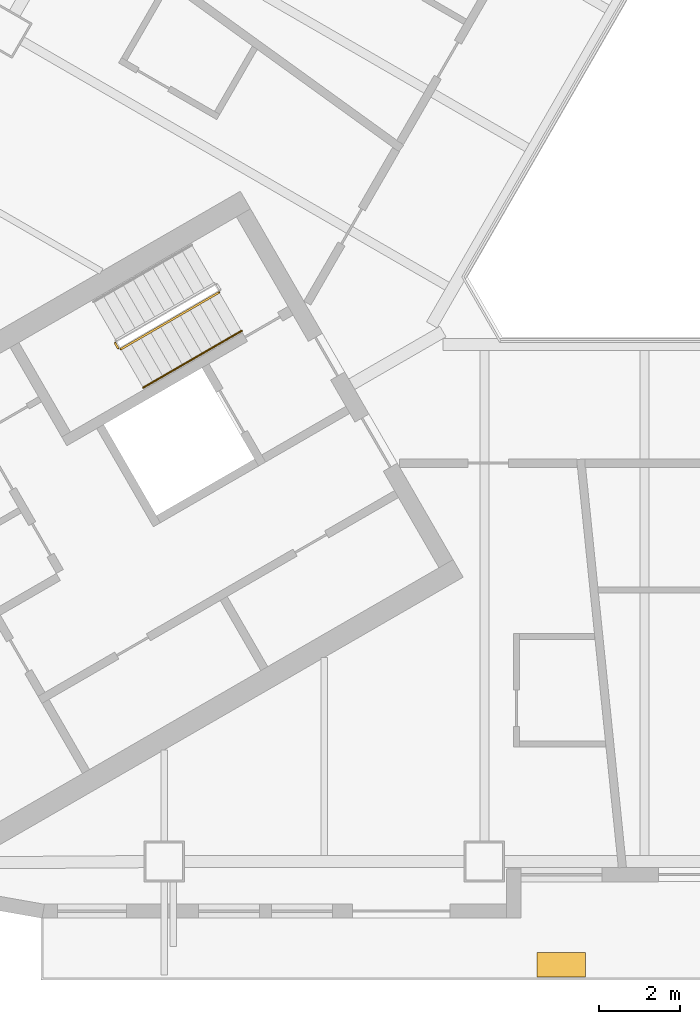
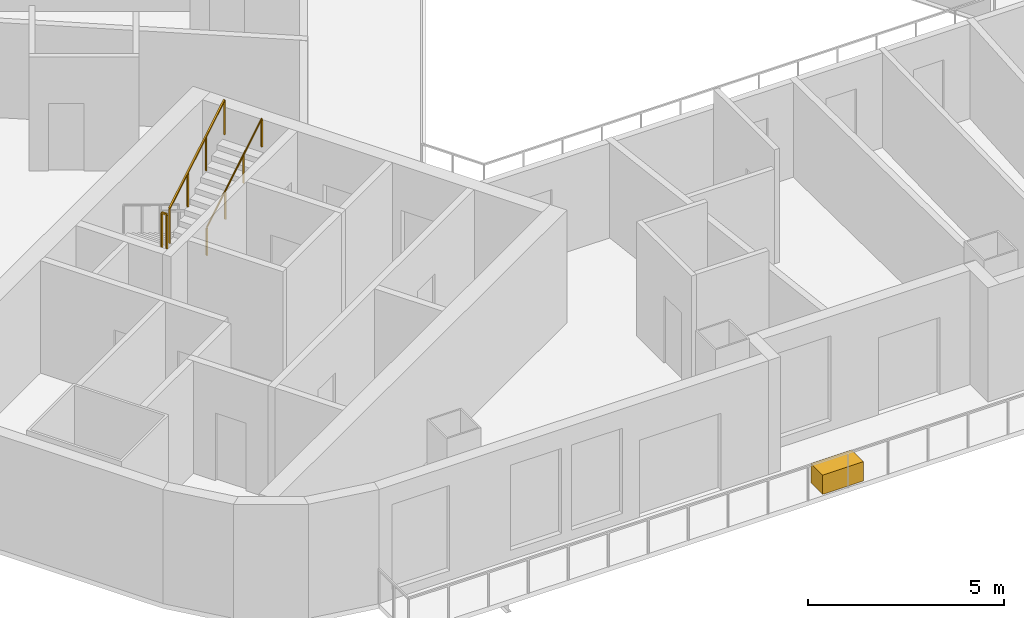
# One storey, part 9 of 14: 3 railings, 1 covering.
"""IFC4 building model written with IfcOpenShell, lengths in metres."""

from ifc_helpers import new_model, si_unit, direction, frame, origin, origin_2d, place, context, subcontext, project, spatial, rectangle, circle, extrude, material, type_object, element, save


model = new_model("IFC4")

# Units and contexts
model_context = context("Model", 3, precision=1e-05, world=origin(), true_north=direction((0.0, 1.0)))
body_context = subcontext(model_context, "Body", "Model", "MODEL_VIEW")
ifc_project = project(units=[si_unit("LENGTHUNIT", "METRE"), si_unit("AREAUNIT", "SQUARE_METRE"), si_unit("VOLUMEUNIT", "CUBIC_METRE"), si_unit("PLANEANGLEUNIT", "RADIAN"), si_unit("MASSUNIT", "GRAM", prefix="KILO")], contexts=[model_context])

# Site, building, storey
site_placement = place(None, origin())
site = spatial("IfcSite", under=ifc_project, at=site_placement, CompositionType="ELEMENT")
building_placement = place(site_placement, origin())
building = spatial("IfcBuilding", under=site, at=building_placement, Name="Apuvela Tower Hotel", CompositionType="ELEMENT")
storey_placement = place(building_placement, frame((0.0, 0.0, 72.39990234375)))
storey = spatial("IfcBuildingStorey", under=building, at=storey_placement, Name="L15", CompositionType="ELEMENT", Elevation=72.39990234375)

# Railings
ifc_material_1 = material(Name="Steel S275 balustrade", Category="steel")
railing_type_1 = type_object("IfcRailingType", Name="COR-GUARD-1100", PredefinedType="GUARDRAIL", material=ifc_material_1)
railing_1_placement = place(storey_placement, frame((-17.01220703125, -5.43408203125, 1.85009765625)))
element("IfcRailing", 1, at=railing_1_placement, inside=storey, type_object=railing_type_1, Name="L15 ST2 stair guard 2", PredefinedType="GUARDRAIL", context=body_context, shape_type="SweptSolid", body=[
    extrude(rectangle(XDim=0.048095703125, YDim=0.048095703125, at=origin_2d()), frame((0.0, 0.0, 1.076171875), z_axis=(0.499816412211, -0.866131372301, 0.0), x_axis=(0.866131372301, 0.499816412211, 0.0)), (0.0, 0.0, 1.0), 0.14990234375),
    extrude(rectangle(XDim=0.0419921875, YDim=0.0419921875, at=origin_2d()), origin(), (0.0, 0.0, 1.0), 1.052001953125),
    extrude(rectangle(XDim=0.0419921875, YDim=0.0419921875, at=origin_2d()), frame((0.074951171875, -0.1298828125, 0.0)), (0.0, 0.0, 1.0), 1.052001953125),
])
railing_2_placement = place(storey_placement, frame((-16.868896484375, -5.582275390625, 2.018310546875)))
element("IfcRailing", 2, at=railing_2_placement, inside=storey, type_object=railing_type_1, Name="L15 ST2 stair guard 3", PredefinedType="GUARDRAIL", context=body_context, shape_type="SweptSolid", body=[
    extrude(rectangle(XDim=0.048095703125, YDim=0.048095703125, at=origin_2d()), frame((0.0, 0.0, 1.076171875), z_axis=(0.742390482028, 0.42860119049, 0.514934356695), x_axis=(-0.49998411664, 0.866034573852, 0.0)), (0.0, 0.0, 1.0), 3.26611328125),
    extrude(rectangle(XDim=0.0419921875, YDim=0.0419921875, at=origin_2d()), origin(), (0.0, 0.0, 1.0), 1.052001953125),
    extrude(rectangle(XDim=0.0419921875, YDim=0.0419921875, at=origin_2d()), frame((0.808349609375, 0.466552734375, 0.560546875)), (0.0, 0.0, 1.0), 1.052001953125),
    extrude(rectangle(XDim=0.0419921875, YDim=0.0419921875, at=origin_2d()), frame((1.616455078125, 0.933349609375, 1.121337890625)), (0.0, 0.0, 1.0), 1.052001953125),
    extrude(rectangle(XDim=0.0419921875, YDim=0.0419921875, at=origin_2d()), frame((2.4248046875, 1.39990234375, 1.681884765625)), (0.0, 0.0, 1.0), 1.052001953125),
])
ifc_material_2 = material(Name="Stainless steel 316 handrail", Category="steel")
railing_type_2 = type_object("IfcRailingType", Name="COR-HANDRAIL-900", PredefinedType="HANDRAIL", material=ifc_material_2)
railing_3_placement = place(storey_placement, frame((-16.31884765625, -6.534912109375, 2.018310546875)))
element("IfcRailing", 3, at=railing_3_placement, inside=storey, type_object=railing_type_2, Name="L15 ST2 stair handrail 2", PredefinedType="HANDRAIL", context=body_context, shape_type="SweptSolid", body=[
    extrude(circle(Radius=0.02392578125, at=origin_2d()), frame((0.0, 0.0, 0.8759765625), z_axis=(0.742390482028, 0.42860119049, 0.514934356695), x_axis=(-0.49998411664, 0.866034573852, 0.0)), (0.0, 0.0, 1.0), 3.26611328125),
    extrude(rectangle(XDim=0.0419921875, YDim=0.0419921875, at=origin_2d()), origin(), (0.0, 0.0, 1.0), 0.851806640625),
    extrude(rectangle(XDim=0.0419921875, YDim=0.0419921875, at=origin_2d()), frame((0.808349609375, 0.466552734375, 0.560546875)), (0.0, 0.0, 1.0), 0.851806640625),
    extrude(rectangle(XDim=0.0419921875, YDim=0.0419921875, at=origin_2d()), frame((1.616455078125, 0.933349609375, 1.121337890625)), (0.0, 0.0, 1.0), 0.851806640625),
    extrude(rectangle(XDim=0.0419921875, YDim=0.0419921875, at=origin_2d()), frame((2.4248046875, 1.39990234375, 1.681884765625)), (0.0, 0.0, 1.0), 0.851806640625),
])

# Covering
ifc_material_3 = material(Name="Planting substrate and soil, planted")
covering_type = type_object("IfcCoveringType", Name="ENV-PLANTER-1200x600", PredefinedType="USERDEFINED", material=ifc_material_3)
covering_placement = place(storey_placement, frame((-5.99951171875, -20.780029296875, 0.0), z_axis=(0.0, 0.0, 1.0), x_axis=(1.0, 0.0, 0.0)))
element("IfcCovering", 4, at=covering_placement, inside=storey, type_object=covering_type, Name="Planter S1", ObjectType="PLANTER", PredefinedType="USERDEFINED", context=body_context, shape_type="SweptSolid", body=[
    extrude(rectangle(XDim=1.199951171875, YDim=0.60009765625, at=origin_2d()), origin(), (0.0, 0.0, 1.0), 0.60009765625),
])

save(model, "model.ifc")
